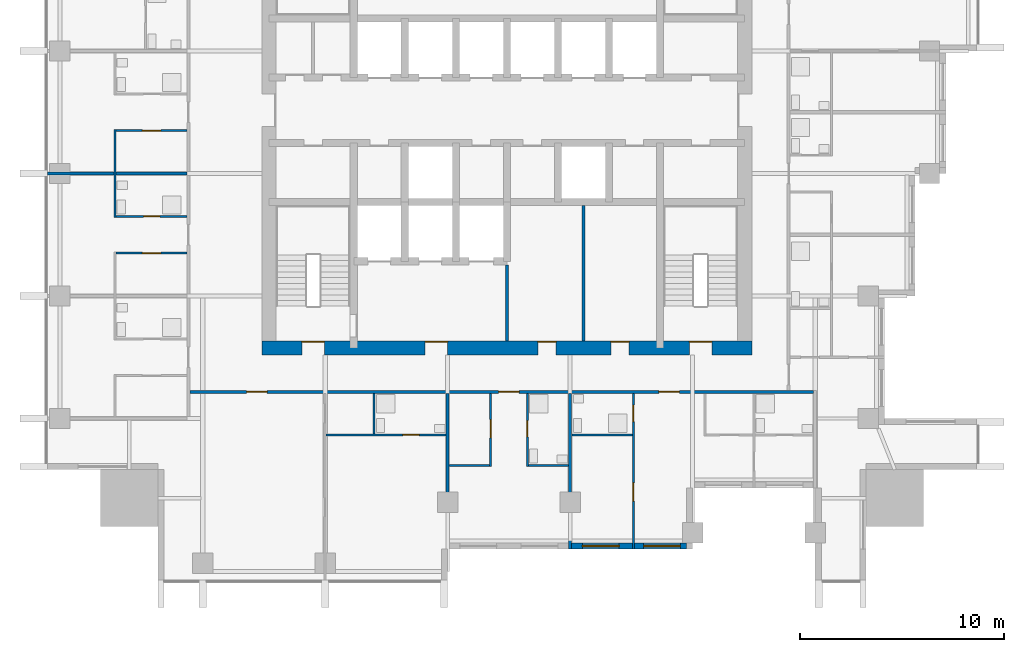
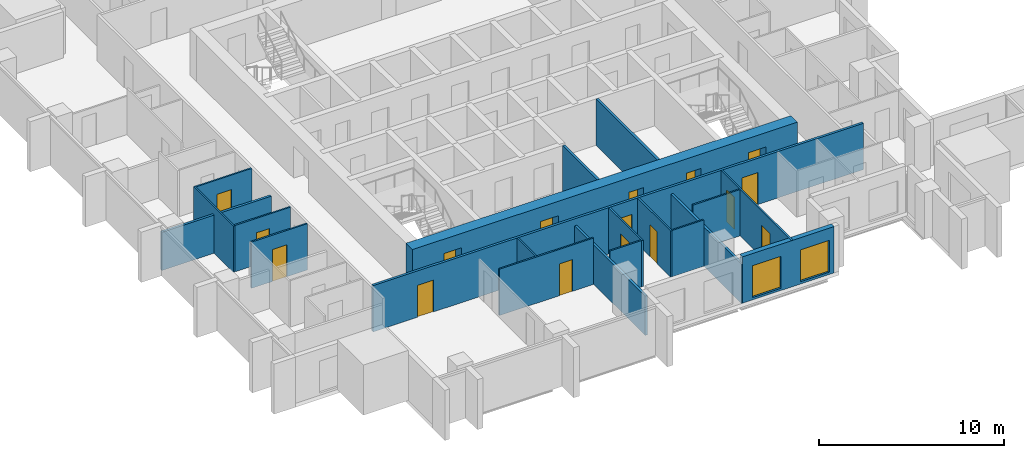
# One storey, part 4 of 11: 20 walls, 16 doors, 2 windows, 18 openings.
"""IFC4 building model written with IfcOpenShell, lengths in metres."""

import ifcopenshell
import ifcopenshell.guid

model = None  # the IFC model being written
_history = None  # IfcOwnerHistory: only IFC2X3 demands one
_inside = {}  # id of a spatial element -> (the spatial element, [elements in it])
_under = {}  # id of a project, library or spatial element -> (it, [spatial elements below it])
_declared = {}  # id of a project -> (the project, [libraries it declares])
_typed = {}  # id of a type object -> (the type object, [elements of that type])
_made_of = {}  # id of a material, layer set ... -> (it, [elements and type objects made of it])


def new_model(schema):
    """Start an empty IFC model of exactly this schema.

    Asked for "IFC4X3", IfcOpenShell would pick the latest addendum, in which some entities
    have other attributes; the version numbers below select the first issue.
    IFC2X3 requires an IfcOwnerHistory on every rooted entity: one is made here for all.
    """
    global model, _history
    if schema == "IFC4X3":
        model = ifcopenshell.file(schema_version=(4, 3, 0, 0))
    else:
        model = ifcopenshell.file(schema=schema)
    _inside.clear()
    _under.clear()
    _declared.clear()
    _typed.clear()
    _made_of.clear()
    _history = None
    if model.schema == "IFC2X3":
        org = make("IfcOrganization", Name="unknown")
        user = make(
            "IfcPersonAndOrganization",
            ThePerson=make("IfcPerson", FamilyName="unknown"),
            TheOrganization=org,
        )
        app = make(
            "IfcApplication",
            ApplicationDeveloper=org,
            Version="unknown",
            ApplicationFullName="unknown",
            ApplicationIdentifier="unknown",
        )
        _history = make(
            "IfcOwnerHistory",
            OwningUser=user,
            OwningApplication=app,
            ChangeAction="ADDED",
            CreationDate=0,
        )
    return model


def make(cls, **values):
    """One entity of the class cls with the attributes given. An attribute that is None is left unset."""
    return model.create_entity(
        cls, **{name: value for name, value in values.items() if value is not None}
    )


def rooted(cls, **values):
    """An entity with a GlobalId (a new one), such as an element, a storey or a relation."""
    return make(cls, GlobalId=ifcopenshell.guid.new(), OwnerHistory=_history, **values)


def si_unit(unit_type, name, prefix=None):
    """IfcSIUnit, for example si_unit("LENGTHUNIT", "METRE", prefix="MILLI")."""
    return make("IfcSIUnit", UnitType=unit_type, Prefix=prefix, Name=name)


def assignment(units):
    """IfcUnitAssignment: the units of a project."""
    return None if units is None else make("IfcUnitAssignment", Units=units)


def point(xyz):
    """IfcCartesianPoint."""
    return None if xyz is None else make("IfcCartesianPoint", Coordinates=xyz)


def direction(xyz):
    """IfcDirection."""
    return None if xyz is None else make("IfcDirection", DirectionRatios=xyz)


def frame(location, z_axis=None, x_axis=None):
    """IfcAxis2Placement3D, a coordinate frame: its origin and axes. An axis left out is left unset."""
    return make(
        "IfcAxis2Placement3D",
        Location=point(location),
        Axis=direction(z_axis),
        RefDirection=direction(x_axis),
    )


def frame_2d(location, x_axis=None):
    """IfcAxis2Placement2D, a coordinate frame in the plane: its origin and x axis."""
    return make(
        "IfcAxis2Placement2D", Location=point(location), RefDirection=direction(x_axis)
    )


def origin():
    """The frame at (0, 0, 0) with its axes left unset."""
    return frame((0.0, 0.0, 0.0))


def place(relative_to, where):
    """IfcLocalPlacement: puts the frame where relative to a parent placement (None: the world)."""
    return make(
        "IfcLocalPlacement", PlacementRelTo=relative_to, RelativePlacement=where
    )


def context(
    kind, dimensions, precision=None, world=None, true_north=None, identifier=None
):
    """IfcGeometricRepresentationContext, for example the 3D "Model" context."""
    return make(
        "IfcGeometricRepresentationContext",
        ContextIdentifier=identifier,
        ContextType=kind,
        CoordinateSpaceDimension=dimensions,
        Precision=precision,
        WorldCoordinateSystem=world,
        TrueNorth=true_north,
    )


def subcontext(parent, identifier, kind, view, scale=None):
    """IfcGeometricRepresentationSubContext, for example "Body" below "Model"."""
    return make(
        "IfcGeometricRepresentationSubContext",
        ContextIdentifier=identifier,
        ContextType=kind,
        ParentContext=parent,
        TargetScale=scale,
        TargetView=view,
    )


def project(units=None, contexts=None):
    """IfcProject with its units and contexts."""
    return rooted(
        "IfcProject",
        Name="project",
        RepresentationContexts=contexts,
        UnitsInContext=assignment(units),
    )


def spatial(cls, under=None, at=None, **own):
    """A site, building, storey or space (cls), placed at a placement, below another one or the project."""
    s = rooted(cls, ObjectPlacement=at, **own)
    if under is not None:
        _under.setdefault(under.id(), (under, []))[1].append(s)
    return s


def profile(cls, at=None, kind="AREA", **sizes):
    """A parametric profile (cls). Its sizes go by their IFC names, for example OverallWidth=200.0."""
    return make(cls, ProfileType=kind, Position=at, **sizes)


def rectangle(**sizes):
    """IfcRectangleProfileDef."""
    return profile("IfcRectangleProfileDef", **sizes)


def extrude(swept, where, along, depth):
    """IfcExtrudedAreaSolid: the profile swept, set in the frame where, extruded along a direction by depth."""
    return make(
        "IfcExtrudedAreaSolid",
        SweptArea=swept,
        Position=where,
        ExtrudedDirection=direction(along),
        Depth=depth,
    )


def shape(context_of_items, identifier, shape_type, items):
    """IfcShapeRepresentation: the items that make up one representation, for example the "Body"."""
    return make(
        "IfcShapeRepresentation",
        ContextOfItems=context_of_items,
        RepresentationIdentifier=identifier,
        RepresentationType=shape_type,
        Items=items,
    )


def material(Name=None, Category=None):
    """IfcMaterial."""
    return make("IfcMaterial", Name=Name, Category=Category)


def layer(
    of_material, thickness, ventilated=None, Name=None, Category=None, Priority=None
):
    """IfcMaterialLayer: one layer of a wall or slab, of a material (None: an air gap)."""
    return make(
        "IfcMaterialLayer",
        Material=of_material,
        LayerThickness=thickness,
        IsVentilated=ventilated,
        Name=Name,
        Category=Category,
        Priority=Priority,
    )


def layer_set(layers, Name=None):
    """IfcMaterialLayerSet."""
    return make("IfcMaterialLayerSet", MaterialLayers=layers, LayerSetName=Name)


def made_of(thing, what):
    """Note that an element or type object is made of a material, layer set ...; save() writes the relation."""
    if what is not None:
        _made_of.setdefault(what.id(), (what, []))[1].append(thing)
    return thing


def type_object(cls, material=None, **own):
    """A type object (cls), such as IfcWallType, which elements share."""
    return made_of(rooted(cls, **own), material)


def element(
    cls,
    number,
    at=None,
    inside=None,
    cuts=None,
    type_object=None,
    material=None,
    context=None,
    identifier="Body",
    shape_type=None,
    held_by="IfcProductDefinitionShape",
    body=None,
    shapes=None,
    **own,
):
    """One element of the class cls, such as IfcWall. Its Tag is "e" and its number.

    at: its placement. inside: the storey or other place that contains it. cuts: it is an
    opening in that element (IfcRelVoidsElement). A single representation is given by context,
    identifier, shape_type and body (its items); several are given by shapes. held_by: the class
    of the entity that holds the representations. save() writes the other relations.
    """
    e = rooted(cls, Tag="e%d" % number, ObjectPlacement=at, **own)
    if body is not None:
        shapes = [shape(context, identifier, shape_type, body)]
    if shapes is not None:
        e.Representation = make(held_by, Representations=shapes)
    if inside is not None:
        _inside.setdefault(inside.id(), (inside, []))[1].append(e)
    if cuts is not None:
        rooted(
            "IfcRelVoidsElement", RelatingBuildingElement=cuts, RelatedOpeningElement=e
        )
    if type_object is not None:
        _typed.setdefault(type_object.id(), (type_object, []))[1].append(e)
    return made_of(e, material)


def fill(opening, filler):
    """IfcRelFillsElement: the door or window that sits in an opening."""
    return rooted(
        "IfcRelFillsElement",
        RelatingOpeningElement=opening,
        RelatedBuildingElement=filler,
    )


def aggregate(whole, parts):
    """IfcRelAggregates: a whole, such as a stair, and the parts it consists of."""
    return rooted("IfcRelAggregates", RelatingObject=whole, RelatedObjects=parts)


def save(model, path):
    """Write the relations noted so far, then the file.

    IfcRelAggregates (storeys below a building ...), IfcRelContainedInSpatialStructure (elements
    in a storey), IfcRelDefinesByType, IfcRelAssociatesMaterial and IfcRelDeclares: one each for
    every whole, place, type object, material and project.
    """
    for whole, parts in _under.values():
        aggregate(whole, parts)
    for where, things in _inside.values():
        rooted(
            "IfcRelContainedInSpatialStructure",
            RelatedElements=things,
            RelatingStructure=where,
        )
    for kind, things in _typed.values():
        rooted("IfcRelDefinesByType", RelatedObjects=things, RelatingType=kind)
    for what, things in _made_of.values():
        rooted("IfcRelAssociatesMaterial", RelatedObjects=things, RelatingMaterial=what)
    for by, libraries in _declared.values():
        rooted("IfcRelDeclares", RelatingContext=by, RelatedDefinitions=libraries)
    model.write(path)


model = new_model("IFC4")

# Units and contexts
model_context = context("Model", 3, precision=1e-05, world=origin(), true_north=direction((0.0, 1.0)))
body_context = subcontext(model_context, "Body", "Model", "MODEL_VIEW")
ifc_project = project(units=[si_unit("LENGTHUNIT", "METRE"), si_unit("AREAUNIT", "SQUARE_METRE"), si_unit("VOLUMEUNIT", "CUBIC_METRE"), si_unit("PLANEANGLEUNIT", "RADIAN"), si_unit("MASSUNIT", "GRAM", prefix="KILO")], contexts=[model_context])

# Site, building, storey
site_placement = place(None, origin())
site = spatial("IfcSite", under=ifc_project, at=site_placement, CompositionType="ELEMENT")
building_placement = place(site_placement, origin())
building = spatial("IfcBuilding", under=site, at=building_placement, Name="Amberfall Residences", CompositionType="ELEMENT")
storey_placement = place(building_placement, frame((0.0, 0.0, 161.5)))
storey = spatial("IfcBuildingStorey", under=building, at=storey_placement, Name="L43", CompositionType="ELEMENT", Elevation=161.5)

# Wall, openings, windows
ifc_material_1 = material(Name="Pale stone cladding on insulated backing", Category="masonry")
ifc_layer_1 = layer(ifc_material_1, 0.300048828125)
ifc_layer_set_1 = layer_set([ifc_layer_1], Name="Bronze clad wall 300")
wall_type_1 = type_object("IfcWallType", Name="Bronze clad wall 300", PredefinedType="SOLIDWALL", material=ifc_layer_set_1)
wall_1_placement = place(storey_placement, frame((77.60009765625, 24.14990234375, 0.0), z_axis=(0.0, 0.0, 1.0), x_axis=(1.0, 0.0, 0.0)))
wall_1 = element("IfcWall", 1, at=wall_1_placement, inside=storey, type_object=wall_type_1, Name="Stone wall L43 S", PredefinedType="SOLIDWALL", context=body_context, shape_type="SweptSolid", body=[
    extrude(rectangle(XDim=5.699951171875, YDim=0.300048828125, at=frame_2d((2.85009765625, 0.0))), origin(), (0.0, 0.0, 1.0), 3.050048828125),
])
opening_1_placement = place(wall_1_placement, frame((0.60009765625, 0.0, 0.14990234375)))
opening_1 = element("IfcOpeningElement", 2, at=opening_1_placement, cuts=wall_1, Name="Opening WN6", PredefinedType="OPENING", context=body_context, shape_type="SweptSolid", body=[
    extrude(rectangle(XDim=1.800048828125, YDim=2.10009765625, at=frame_2d((0.89990234375, 1.050048828125))), frame((0.0, 0.159912109375, 0.0), z_axis=(0.0, -1.0, 0.0), x_axis=(1.0, 0.0, 0.0)), (0.0, 0.0, 1.0), 0.320068359375),
])
opening_2_placement = place(wall_1_placement, frame((3.60009765625, 0.0, 0.14990234375)))
opening_2 = element("IfcOpeningElement", 3, at=opening_2_placement, cuts=wall_1, Name="Opening WN6", PredefinedType="OPENING", context=body_context, shape_type="SweptSolid", body=[
    extrude(rectangle(XDim=1.800048828125, YDim=2.10009765625, at=frame_2d((0.89990234375, 1.050048828125))), frame((0.0, 0.159912109375, 0.0), z_axis=(0.0, -1.0, 0.0), x_axis=(1.0, 0.0, 0.0)), (0.0, 0.0, 1.0), 0.320068359375),
])
ifc_material_2 = material(Name="Bronze aluminium framed glazing", Category="aluminium")
window_type = type_object("IfcWindowType", Name="Glazed opening 1800 x 2100 bronze", PartitioningType="DOUBLE_PANEL_VERTICAL", PredefinedType="WINDOW", material=ifc_material_2)
window_1_placement = place(opening_1_placement, origin())
window_1 = element("IfcWindow", 4, at=window_1_placement, inside=storey, type_object=window_type, Name="Window L43 S", OverallHeight=2.10009765625, OverallWidth=1.800048828125, PartitioningType="DOUBLE_PANEL_VERTICAL", PredefinedType="WINDOW", context=body_context, shape_type="SweptSolid", body=[
    extrude(rectangle(XDim=1.800048828125, YDim=2.10009765625, at=frame_2d((0.89990234375, 1.050048828125))), frame((0.0, 0.030029296875, 0.0), z_axis=(0.0, -1.0, 0.0), x_axis=(1.0, 0.0, 0.0)), (0.0, 0.0, 1.0), 0.06005859375),
])
fill(opening_1, window_1)
window_2_placement = place(opening_2_placement, origin())
window_2 = element("IfcWindow", 5, at=window_2_placement, inside=storey, type_object=window_type, Name="Window L43 S", OverallHeight=2.10009765625, OverallWidth=1.800048828125, PartitioningType="DOUBLE_PANEL_VERTICAL", PredefinedType="WINDOW", context=body_context, shape_type="SweptSolid", body=[
    extrude(rectangle(XDim=1.800048828125, YDim=2.10009765625, at=frame_2d((0.89990234375, 1.050048828125))), frame((0.0, 0.030029296875, 0.0), z_axis=(0.0, -1.0, 0.0), x_axis=(1.0, 0.0, 0.0)), (0.0, 0.0, 1.0), 0.06005859375),
])
fill(opening_2, window_2)

# Wall, openings, doors
ifc_material_3 = material(Name="Concrete C60", Category="concrete")
ifc_layer_2 = layer(ifc_material_3, 0.699951171875)
ifc_layer_set_2 = layer_set([ifc_layer_2], Name="Core wall 700 C60")
wall_type_2 = type_object("IfcWallType", Name="Core wall 700 C60", PredefinedType="SHEAR", material=ifc_layer_set_2)
wall_2_placement = place(storey_placement, frame((62.5, 33.85009765625, 0.0), z_axis=(0.0, 0.0, 1.0), x_axis=(1.0, 0.0, 0.0)))
wall_2 = element("IfcWall", 6, at=wall_2_placement, inside=storey, type_object=wall_type_2, Name="Core wall RW5 L43 OS", PredefinedType="SHEAR", context=body_context, shape_type="SweptSolid", body=[
    extrude(rectangle(XDim=24.0, YDim=0.699951171875, at=frame_2d((12.0, 0.0))), origin(), (0.0, 0.0, 1.0), 3.050048828125),
])
opening_3_placement = place(wall_2_placement, frame((1.96240234375, 0.0, 0.0)))
opening_3 = element("IfcOpeningElement", 7, at=opening_3_placement, cuts=wall_2, Name="Opening SD1", PredefinedType="OPENING", context=body_context, shape_type="SweptSolid", body=[
    extrude(rectangle(XDim=1.10009765625, YDim=2.10009765625, at=frame_2d((0.550048828125, 1.050048828125))), frame((0.0, 0.35986328125, 0.0), z_axis=(0.0, -1.0, 0.0), x_axis=(1.0, 0.0, 0.0)), (0.0, 0.0, 1.0), 0.719970703125),
])
opening_4_placement = place(wall_2_placement, frame((20.9375, 0.0, 0.0)))
opening_4 = element("IfcOpeningElement", 8, at=opening_4_placement, cuts=wall_2, Name="Opening SD1", PredefinedType="OPENING", context=body_context, shape_type="SweptSolid", body=[
    extrude(rectangle(XDim=1.10009765625, YDim=2.10009765625, at=frame_2d((0.550048828125, 1.050048828125))), frame((0.0, 0.35986328125, 0.0), z_axis=(0.0, -1.0, 0.0), x_axis=(1.0, 0.0, 0.0)), (0.0, 0.0, 1.0), 0.719970703125),
])
opening_5_placement = place(wall_2_placement, frame((8.0, 0.0, 0.0)))
opening_5 = element("IfcOpeningElement", 9, at=opening_5_placement, cuts=wall_2, Name="Opening FL1", PredefinedType="OPENING", context=body_context, shape_type="SweptSolid", body=[
    extrude(rectangle(XDim=1.10009765625, YDim=2.10009765625, at=frame_2d((0.550048828125, 1.050048828125))), frame((0.0, 0.35986328125, 0.0), z_axis=(0.0, -1.0, 0.0), x_axis=(1.0, 0.0, 0.0)), (0.0, 0.0, 1.0), 0.719970703125),
])
opening_6_placement = place(wall_2_placement, frame((13.512451171875, 0.0, 0.0)))
opening_6 = element("IfcOpeningElement", 10, at=opening_6_placement, cuts=wall_2, Name="Opening RD1", PredefinedType="OPENING", context=body_context, shape_type="SweptSolid", body=[
    extrude(rectangle(XDim=0.89990234375, YDim=2.10009765625, at=frame_2d((0.449951171875, 1.050048828125))), frame((0.0, 0.35986328125, 0.0), z_axis=(0.0, -1.0, 0.0), x_axis=(1.0, 0.0, 0.0)), (0.0, 0.0, 1.0), 0.719970703125),
])
opening_7_placement = place(wall_2_placement, frame((17.08740234375, 0.0, 0.0)))
opening_7 = element("IfcOpeningElement", 11, at=opening_7_placement, cuts=wall_2, Name="Opening RD1", PredefinedType="OPENING", context=body_context, shape_type="SweptSolid", body=[
    extrude(rectangle(XDim=0.89990234375, YDim=2.10009765625, at=frame_2d((0.449951171875, 1.050048828125))), frame((0.0, 0.35986328125, 0.0), z_axis=(0.0, -1.0, 0.0), x_axis=(1.0, 0.0, 0.0)), (0.0, 0.0, 1.0), 0.719970703125),
])
ifc_material_4 = material(Name="Steel fire door set", Category="steel")
door_type_1 = type_object("IfcDoorType", Name="Firefighting lobby door 1100 x 2100", OperationType="SINGLE_SWING_LEFT", PredefinedType="DOOR", material=ifc_material_4)
door_1_placement = place(opening_5_placement, origin())
door_1 = element("IfcDoor", 12, at=door_1_placement, inside=storey, type_object=door_type_1, Name="FL1 L43", OperationType="SINGLE_SWING_LEFT", OverallHeight=2.10009765625, OverallWidth=1.10009765625, PredefinedType="DOOR", context=body_context, shape_type="SweptSolid", body=[
    extrude(rectangle(XDim=1.10009765625, YDim=2.10009765625, at=frame_2d((0.550048828125, 1.050048828125))), frame((0.0, 0.33740234375, 0.0), z_axis=(0.0, -1.0, 0.0), x_axis=(1.0, 0.0, 0.0)), (0.0, 0.0, 1.0), 0.050048828125),
])
fill(opening_5, door_1)
door_type_2 = type_object("IfcDoorType", Name="Service room door 900 x 2100", OperationType="SINGLE_SWING_LEFT", PredefinedType="DOOR", material=ifc_material_4)
door_2_placement = place(opening_6_placement, origin())
door_2 = element("IfcDoor", 13, at=door_2_placement, inside=storey, type_object=door_type_2, Name="RD1 L43", OperationType="SINGLE_SWING_LEFT", OverallHeight=2.10009765625, OverallWidth=0.89990234375, PredefinedType="DOOR", context=body_context, shape_type="SweptSolid", body=[
    extrude(rectangle(XDim=0.89990234375, YDim=2.10009765625, at=frame_2d((0.449951171875, 1.050048828125))), frame((0.0, 0.33740234375, 0.0), z_axis=(0.0, -1.0, 0.0), x_axis=(1.0, 0.0, 0.0)), (0.0, 0.0, 1.0), 0.050048828125),
])
fill(opening_6, door_2)
door_3_placement = place(opening_7_placement, origin())
door_3 = element("IfcDoor", 14, at=door_3_placement, inside=storey, type_object=door_type_2, Name="RD1 L43", OperationType="SINGLE_SWING_LEFT", OverallHeight=2.10009765625, OverallWidth=0.89990234375, PredefinedType="DOOR", context=body_context, shape_type="SweptSolid", body=[
    extrude(rectangle(XDim=0.89990234375, YDim=2.10009765625, at=frame_2d((0.449951171875, 1.050048828125))), frame((0.0, 0.33740234375, 0.0), z_axis=(0.0, -1.0, 0.0), x_axis=(1.0, 0.0, 0.0)), (0.0, 0.0, 1.0), 0.050048828125),
])
fill(opening_7, door_3)
door_type_3 = type_object("IfcDoorType", Name="Stair door 1100 x 2100", OperationType="SINGLE_SWING_LEFT", PredefinedType="DOOR", material=ifc_material_4)
door_4_placement = place(opening_3_placement, origin())
door_4 = element("IfcDoor", 15, at=door_4_placement, inside=storey, type_object=door_type_3, Name="SD1 L43", OperationType="SINGLE_SWING_LEFT", OverallHeight=2.10009765625, OverallWidth=1.10009765625, PredefinedType="DOOR", context=body_context, shape_type="SweptSolid", body=[
    extrude(rectangle(XDim=1.10009765625, YDim=2.10009765625, at=frame_2d((0.550048828125, 1.050048828125))), frame((0.0, 0.33740234375, 0.0), z_axis=(0.0, -1.0, 0.0), x_axis=(1.0, 0.0, 0.0)), (0.0, 0.0, 1.0), 0.050048828125),
])
fill(opening_3, door_4)
door_5_placement = place(opening_4_placement, origin())
door_5 = element("IfcDoor", 16, at=door_5_placement, inside=storey, type_object=door_type_3, Name="SD1 L43", OperationType="SINGLE_SWING_RIGHT", OverallHeight=2.10009765625, OverallWidth=1.10009765625, PredefinedType="DOOR", context=body_context, shape_type="SweptSolid", body=[
    extrude(rectangle(XDim=1.10009765625, YDim=2.10009765625, at=frame_2d((0.550048828125, 1.050048828125))), frame((0.0, 0.33740234375, 0.0), z_axis=(0.0, -1.0, 0.0), x_axis=(1.0, 0.0, 0.0)), (0.0, 0.0, 1.0), 0.050048828125),
])
fill(opening_4, door_5)

# Walls
ifc_material_5 = material(Name="Gypsum board on metal stud")
ifc_layer_3 = layer(ifc_material_5, 0.10009765625)
ifc_layer_set_3 = layer_set([ifc_layer_3], Name="Flat partition 100")
wall_type_3 = type_object("IfcWallType", Name="Flat partition 100", PredefinedType="PARTITIONING", material=ifc_layer_set_3)
wall_3_placement = place(storey_placement, frame((55.300048828125, 40.25, 0.0), z_axis=(0.0, 0.0, 1.0), x_axis=(0.0, 1.0, 0.0)))
element("IfcWall", 17, at=wall_3_placement, inside=storey, type_object=wall_type_3, Name="Partition 003", PredefinedType="PARTITIONING", context=body_context, shape_type="SweptSolid", body=[
    extrude(rectangle(XDim=4.300048828125, YDim=0.10009765625, at=frame_2d((2.14990234375, 0.0))), origin(), (0.0, 0.0, 1.0), 3.050048828125),
])
wall_4_placement = place(storey_placement, frame((68.0, 29.64990234375, 0.0), z_axis=(0.0, 0.0, 1.0), x_axis=(0.0, 1.0, 0.0)))
element("IfcWall", 18, at=wall_4_placement, inside=storey, type_object=wall_type_3, Name="Partition 010", PredefinedType="PARTITIONING", context=body_context, shape_type="SweptSolid", body=[
    extrude(rectangle(XDim=1.97509765625, YDim=0.10009765625, at=frame_2d((0.987548828125, 0.0))), origin(), (0.0, 0.0, 1.0), 3.050048828125),
])

# Wall, opening, door
wall_5_placement = place(storey_placement, frame((73.699951171875, 28.050048828125, 0.0), z_axis=(0.0, 0.0, 1.0), x_axis=(0.0, 1.0, 0.0)))
wall_5 = element("IfcWall", 19, at=wall_5_placement, inside=storey, type_object=wall_type_3, Name="Partition 012", PredefinedType="PARTITIONING", context=body_context, shape_type="SweptSolid", body=[
    extrude(rectangle(XDim=3.574951171875, YDim=0.10009765625, at=frame_2d((1.78759765625, 0.0))), origin(), (0.0, 0.0, 1.0), 3.050048828125),
])
opening_8_placement = place(wall_5_placement, frame((1.39990234375, 0.0, 0.0)))
opening_8 = element("IfcOpeningElement", 20, at=opening_8_placement, cuts=wall_5, Name="Opening D41", PredefinedType="OPENING", context=body_context, shape_type="SweptSolid", body=[
    extrude(rectangle(XDim=0.89990234375, YDim=2.10009765625, at=frame_2d((0.449951171875, 1.050048828125))), frame((0.0, 0.06005859375, 0.0), z_axis=(0.0, -1.0, 0.0), x_axis=(1.0, 0.0, 0.0)), (0.0, 0.0, 1.0), 0.1201171875),
])
ifc_material_6 = material(Name="Timber", Category="wood")
door_type_4 = type_object("IfcDoorType", Name="Internal door 900 x 2100", OperationType="SINGLE_SWING_LEFT", PredefinedType="DOOR", material=ifc_material_6)
door_6_placement = place(opening_8_placement, origin())
door_6 = element("IfcDoor", 21, at=door_6_placement, inside=storey, type_object=door_type_4, Name="Door 4302 kitchen", OperationType="SINGLE_SWING_LEFT", OverallHeight=2.10009765625, OverallWidth=0.89990234375, PredefinedType="DOOR", context=body_context, shape_type="SweptSolid", body=[
    extrude(rectangle(XDim=0.89990234375, YDim=2.10009765625, at=frame_2d((0.449951171875, 1.050048828125))), frame((0.0, 0.02490234375, 0.0), z_axis=(0.0, -1.0, 0.0), x_axis=(1.0, 0.0, 0.0)), (0.0, 0.0, 1.0), 0.050048828125),
])
fill(opening_8, door_6)

wall_6_placement = place(storey_placement, frame((75.5, 31.625, 0.0), z_axis=(0.0, 0.0, 1.0), x_axis=(0.0, -1.0, 0.0)))
wall_6 = element("IfcWall", 22, at=wall_6_placement, inside=storey, type_object=wall_type_3, Name="Partition 014", PredefinedType="PARTITIONING", context=body_context, shape_type="SweptSolid", body=[
    extrude(rectangle(XDim=3.574951171875, YDim=0.10009765625, at=frame_2d((1.78759765625, 0.0))), origin(), (0.0, 0.0, 1.0), 3.050048828125),
])
opening_9_placement = place(wall_6_placement, frame((1.324951171875, 0.0, 0.0)))
opening_9 = element("IfcOpeningElement", 23, at=opening_9_placement, cuts=wall_6, Name="Opening D42", PredefinedType="OPENING", context=body_context, shape_type="SweptSolid", body=[
    extrude(rectangle(XDim=0.800048828125, YDim=2.10009765625, at=frame_2d((0.39990234375, 1.050048828125))), frame((0.0, 0.06005859375, 0.0), z_axis=(0.0, -1.0, 0.0), x_axis=(1.0, 0.0, 0.0)), (0.0, 0.0, 1.0), 0.1201171875),
])
door_type_5 = type_object("IfcDoorType", Name="Bathroom door 800 x 2100", OperationType="SINGLE_SWING_LEFT", PredefinedType="DOOR", material=ifc_material_6)
door_7_placement = place(opening_9_placement, origin())
door_7 = element("IfcDoor", 24, at=door_7_placement, inside=storey, type_object=door_type_5, Name="Door 4302 bath1", OperationType="SINGLE_SWING_LEFT", OverallHeight=2.10009765625, OverallWidth=0.800048828125, PredefinedType="DOOR", context=body_context, shape_type="SweptSolid", body=[
    extrude(rectangle(XDim=0.800048828125, YDim=2.10009765625, at=frame_2d((0.39990234375, 1.050048828125))), frame((0.0, 0.02490234375, 0.0), z_axis=(0.0, -1.0, 0.0), x_axis=(1.0, 0.0, 0.0)), (0.0, 0.0, 1.0), 0.050048828125),
])
fill(opening_9, door_7)

# Wall, openings, doors
wall_7_placement = place(storey_placement, frame((80.699951171875, 24.0, 0.0), z_axis=(0.0, 0.0, 1.0), x_axis=(0.0, 1.0, 0.0)))
wall_7 = element("IfcWall", 25, at=wall_7_placement, inside=storey, type_object=wall_type_3, Name="Partition 016", PredefinedType="PARTITIONING", context=body_context, shape_type="SweptSolid", body=[
    extrude(rectangle(XDim=7.625, YDim=0.10009765625, at=frame_2d((3.8125, 0.0))), origin(), (0.0, 0.0, 1.0), 3.050048828125),
])
opening_10_placement = place(wall_7_placement, frame((2.35009765625, 0.0, 0.0)))
opening_10 = element("IfcOpeningElement", 26, at=opening_10_placement, cuts=wall_7, Name="Opening D41", PredefinedType="OPENING", context=body_context, shape_type="SweptSolid", body=[
    extrude(rectangle(XDim=0.89990234375, YDim=2.10009765625, at=frame_2d((0.449951171875, 1.050048828125))), frame((0.0, 0.06005859375, 0.0), z_axis=(0.0, -1.0, 0.0), x_axis=(1.0, 0.0, 0.0)), (0.0, 0.0, 1.0), 0.1201171875),
])
opening_11_placement = place(wall_7_placement, frame((6.25, 0.0, 0.0)))
opening_11 = element("IfcOpeningElement", 27, at=opening_11_placement, cuts=wall_7, Name="Opening D42", PredefinedType="OPENING", context=body_context, shape_type="SweptSolid", body=[
    extrude(rectangle(XDim=0.800048828125, YDim=2.10009765625, at=frame_2d((0.39990234375, 1.050048828125))), frame((0.0, 0.06005859375, 0.0), z_axis=(0.0, -1.0, 0.0), x_axis=(1.0, 0.0, 0.0)), (0.0, 0.0, 1.0), 0.1201171875),
])
door_8_placement = place(opening_11_placement, origin())
door_8 = element("IfcDoor", 28, at=door_8_placement, inside=storey, type_object=door_type_5, Name="Door 4303 bath1", OperationType="SINGLE_SWING_LEFT", OverallHeight=2.10009765625, OverallWidth=0.800048828125, PredefinedType="DOOR", context=body_context, shape_type="SweptSolid", body=[
    extrude(rectangle(XDim=0.800048828125, YDim=2.10009765625, at=frame_2d((0.39990234375, 1.050048828125))), frame((0.0, 0.02490234375, 0.0), z_axis=(0.0, -1.0, 0.0), x_axis=(1.0, 0.0, 0.0)), (0.0, 0.0, 1.0), 0.050048828125),
])
fill(opening_11, door_8)
door_9_placement = place(opening_10_placement, origin())
door_9 = element("IfcDoor", 29, at=door_9_placement, inside=storey, type_object=door_type_4, Name="Door 4303 bedroom1", OperationType="SINGLE_SWING_LEFT", OverallHeight=2.10009765625, OverallWidth=0.89990234375, PredefinedType="DOOR", context=body_context, shape_type="SweptSolid", body=[
    extrude(rectangle(XDim=0.89990234375, YDim=2.10009765625, at=frame_2d((0.449951171875, 1.050048828125))), frame((0.0, 0.02490234375, 0.0), z_axis=(0.0, -1.0, 0.0), x_axis=(1.0, 0.0, 0.0)), (0.0, 0.0, 1.0), 0.050048828125),
])
fill(opening_10, door_9)

# Wall, opening, door
wall_8_placement = place(storey_placement, frame((58.824951171875, 44.5, 0.0), z_axis=(0.0, 0.0, 1.0), x_axis=(-1.0, 0.0, 0.0)))
wall_8 = element("IfcWall", 30, at=wall_8_placement, inside=storey, type_object=wall_type_3, Name="Partition 037", PredefinedType="PARTITIONING", context=body_context, shape_type="SweptSolid", body=[
    extrude(rectangle(XDim=3.474853515625, YDim=0.10009765625, at=frame_2d((1.7373046875, 0.0))), origin(), (0.0, 0.0, 1.0), 3.050048828125),
])
opening_12_placement = place(wall_8_placement, frame((1.27490234375, 0.0, 0.0)))
opening_12 = element("IfcOpeningElement", 31, at=opening_12_placement, cuts=wall_8, Name="Opening D41", PredefinedType="OPENING", context=body_context, shape_type="SweptSolid", body=[
    extrude(rectangle(XDim=0.89990234375, YDim=2.10009765625, at=frame_2d((0.449951171875, 1.050048828125))), frame((0.0, 0.06005859375, 0.0), z_axis=(0.0, -1.0, 0.0), x_axis=(1.0, 0.0, 0.0)), (0.0, 0.0, 1.0), 0.1201171875),
])
door_10_placement = place(opening_12_placement, origin())
door_10 = element("IfcDoor", 32, at=door_10_placement, inside=storey, type_object=door_type_4, Name="Door 4314 kitchen", OperationType="SINGLE_SWING_LEFT", OverallHeight=2.10009765625, OverallWidth=0.89990234375, PredefinedType="DOOR", context=body_context, shape_type="SweptSolid", body=[
    extrude(rectangle(XDim=0.89990234375, YDim=2.10009765625, at=frame_2d((0.449951171875, 1.050048828125))), frame((0.0, 0.02490234375, 0.0), z_axis=(0.0, -1.0, 0.0), x_axis=(1.0, 0.0, 0.0)), (0.0, 0.0, 1.0), 0.050048828125),
])
fill(opening_12, door_10)

wall_9_placement = place(storey_placement, frame((55.35009765625, 40.300048828125, 0.0), z_axis=(0.0, 0.0, 1.0), x_axis=(1.0, 0.0, 0.0)))
wall_9 = element("IfcWall", 33, at=wall_9_placement, inside=storey, type_object=wall_type_3, Name="Partition 040", PredefinedType="PARTITIONING", context=body_context, shape_type="SweptSolid", body=[
    extrude(rectangle(XDim=3.474853515625, YDim=0.10009765625, at=frame_2d((1.7373046875, 0.0))), origin(), (0.0, 0.0, 1.0), 3.050048828125),
])
opening_13_placement = place(wall_9_placement, frame((1.35009765625, 0.0, 0.0)))
opening_13 = element("IfcOpeningElement", 34, at=opening_13_placement, cuts=wall_9, Name="Opening D42", PredefinedType="OPENING", context=body_context, shape_type="SweptSolid", body=[
    extrude(rectangle(XDim=0.800048828125, YDim=2.10009765625, at=frame_2d((0.39990234375, 1.050048828125))), frame((0.0, 0.06005859375, 0.0), z_axis=(0.0, -1.0, 0.0), x_axis=(1.0, 0.0, 0.0)), (0.0, 0.0, 1.0), 0.1201171875),
])
door_11_placement = place(opening_13_placement, origin())
door_11 = element("IfcDoor", 35, at=door_11_placement, inside=storey, type_object=door_type_5, Name="Door 4313 bath1", OperationType="SINGLE_SWING_LEFT", OverallHeight=2.10009765625, OverallWidth=0.800048828125, PredefinedType="DOOR", context=body_context, shape_type="SweptSolid", body=[
    extrude(rectangle(XDim=0.800048828125, YDim=2.10009765625, at=frame_2d((0.39990234375, 1.050048828125))), frame((0.0, 0.02490234375, 0.0), z_axis=(0.0, -1.0, 0.0), x_axis=(1.0, 0.0, 0.0)), (0.0, 0.0, 1.0), 0.050048828125),
])
fill(opening_13, door_11)

wall_10_placement = place(storey_placement, frame((58.824951171875, 38.5, 0.0), z_axis=(0.0, 0.0, 1.0), x_axis=(-1.0, 0.0, 0.0)))
wall_10 = element("IfcWall", 36, at=wall_10_placement, inside=storey, type_object=wall_type_3, Name="Partition 041", PredefinedType="PARTITIONING", context=body_context, shape_type="SweptSolid", body=[
    extrude(rectangle(XDim=3.474853515625, YDim=0.10009765625, at=frame_2d((1.7373046875, 0.0))), origin(), (0.0, 0.0, 1.0), 3.050048828125),
])
opening_14_placement = place(wall_10_placement, frame((1.27490234375, 0.0, 0.0)))
opening_14 = element("IfcOpeningElement", 37, at=opening_14_placement, cuts=wall_10, Name="Opening D41", PredefinedType="OPENING", context=body_context, shape_type="SweptSolid", body=[
    extrude(rectangle(XDim=0.89990234375, YDim=2.10009765625, at=frame_2d((0.449951171875, 1.050048828125))), frame((0.0, 0.06005859375, 0.0), z_axis=(0.0, -1.0, 0.0), x_axis=(1.0, 0.0, 0.0)), (0.0, 0.0, 1.0), 0.1201171875),
])
door_12_placement = place(opening_14_placement, origin())
door_12 = element("IfcDoor", 38, at=door_12_placement, inside=storey, type_object=door_type_4, Name="Door 4313 kitchen", OperationType="SINGLE_SWING_LEFT", OverallHeight=2.10009765625, OverallWidth=0.89990234375, PredefinedType="DOOR", context=body_context, shape_type="SweptSolid", body=[
    extrude(rectangle(XDim=0.89990234375, YDim=2.10009765625, at=frame_2d((0.449951171875, 1.050048828125))), frame((0.0, 0.02490234375, 0.0), z_axis=(0.0, -1.0, 0.0), x_axis=(1.0, 0.0, 0.0)), (0.0, 0.0, 1.0), 0.050048828125),
])
fill(opening_14, door_12)

wall_11_placement = place(storey_placement, frame((65.64990234375, 29.60009765625, 0.0), z_axis=(0.0, 0.0, 1.0), x_axis=(1.0, 0.0, 0.0)))
wall_11 = element("IfcWall", 39, at=wall_11_placement, inside=storey, type_object=wall_type_3, Name="Partition 046", PredefinedType="PARTITIONING", context=body_context, shape_type="SweptSolid", body=[
    extrude(rectangle(XDim=5.875, YDim=0.10009765625, at=frame_2d((2.9375, 0.0))), origin(), (0.0, 0.0, 1.0), 3.050048828125),
])
opening_15_placement = place(wall_11_placement, frame((3.75, 0.0, 0.0)))
opening_15 = element("IfcOpeningElement", 40, at=opening_15_placement, cuts=wall_11, Name="Opening D42", PredefinedType="OPENING", context=body_context, shape_type="SweptSolid", body=[
    extrude(rectangle(XDim=0.800048828125, YDim=2.10009765625, at=frame_2d((0.39990234375, 1.050048828125))), frame((0.0, 0.06005859375, 0.0), z_axis=(0.0, -1.0, 0.0), x_axis=(1.0, 0.0, 0.0)), (0.0, 0.0, 1.0), 0.1201171875),
])
door_13_placement = place(opening_15_placement, origin())
door_13 = element("IfcDoor", 41, at=door_13_placement, inside=storey, type_object=door_type_5, Name="Door 4301 bath1", OperationType="SINGLE_SWING_LEFT", OverallHeight=2.10009765625, OverallWidth=0.800048828125, PredefinedType="DOOR", context=body_context, shape_type="SweptSolid", body=[
    extrude(rectangle(XDim=0.800048828125, YDim=2.10009765625, at=frame_2d((0.39990234375, 1.050048828125))), frame((0.0, 0.02490234375, 0.0), z_axis=(0.0, -1.0, 0.0), x_axis=(1.0, 0.0, 0.0)), (0.0, 0.0, 1.0), 0.050048828125),
])
fill(opening_15, door_13)

# Walls
wall_12_placement = place(storey_placement, frame((77.699951171875, 29.60009765625, 0.0), z_axis=(0.0, 0.0, 1.0), x_axis=(1.0, 0.0, 0.0)))
element("IfcWall", 42, at=wall_12_placement, inside=storey, type_object=wall_type_3, Name="Partition 047", PredefinedType="PARTITIONING", context=body_context, shape_type="SweptSolid", body=[
    extrude(rectangle(XDim=2.949951171875, YDim=0.10009765625, at=frame_2d((1.47509765625, 0.0))), origin(), (0.0, 0.0, 1.0), 3.050048828125),
])
for number, where, z_axis, x_axis, name in (
    (43, (71.675048828125, 28.10009765625, 0.0), (0.0, 0.0, 1.0), (1.0, 0.0, 0.0), "Partition 049"),
    (44, (75.550048828125, 28.10009765625, 0.0), (0.0, 0.0, 1.0), (1.0, 0.0, 0.0), "Partition 050"),
):
    element("IfcWall", number, at=place(storey_placement, frame(where, z_axis=z_axis, x_axis=x_axis)), inside=storey, type_object=wall_type_3, Name=name, PredefinedType="PARTITIONING", context=body_context, shape_type="SweptSolid", body=[
        extrude(rectangle(XDim=1.974853515625, YDim=0.10009765625, at=frame_2d((0.9873046875, 0.0))), origin(), (0.0, 0.0, 1.0), 3.050048828125),
    ])
ifc_material_7 = material(Name="Blockwork, plastered", Category="masonry")
ifc_layer_4 = layer(ifc_material_7, 0.14990234375)
ifc_layer_set_4 = layer_set([ifc_layer_4], Name="Flat separating wall 150")
wall_type_4 = type_object("IfcWallType", Name="Flat separating wall 150", PredefinedType="PARTITIONING", material=ifc_layer_set_4)
for number, where, z_axis, x_axis, name in (
    (45, (71.60009765625, 24.0, 0.0), (0.0, 0.0, 1.0), (0.0, 1.0, 0.0), "Separating wall 054"),
    (46, (77.60009765625, 24.0, 0.0), (0.0, 0.0, 1.0), (0.0, 1.0, 0.0), "Separating wall 056"),
):
    element("IfcWall", number, at=place(storey_placement, frame(where, z_axis=z_axis, x_axis=x_axis)), inside=storey, type_object=wall_type_4, Name=name, PredefinedType="PARTITIONING", context=body_context, shape_type="SweptSolid", body=[
        extrude(rectangle(XDim=7.625, YDim=0.14990234375, at=frame_2d((3.8125, 0.0))), origin(), (0.0, 0.0, 1.0), 2.590087890625),
    ])
wall_13_placement = place(storey_placement, frame((52.0, 42.39990234375, 0.0), z_axis=(0.0, 0.0, 1.0), x_axis=(1.0, 0.0, 0.0)))
element("IfcWall", 47, at=wall_13_placement, inside=storey, type_object=wall_type_4, Name="Separating wall 065", PredefinedType="PARTITIONING", context=body_context, shape_type="SweptSolid", body=[
    extrude(rectangle(XDim=6.824951171875, YDim=0.14990234375, at=frame_2d((3.41259765625, 0.0))), origin(), (0.0, 0.0, 1.0), 2.51611328125),
])

# Wall, openings, doors
wall_14_placement = place(storey_placement, frame((89.52490234375, 31.699951171875, 0.0), z_axis=(0.0, 0.0, 1.0), x_axis=(-1.0, 0.0, 0.0)))
wall_14 = element("IfcWall", 48, at=wall_14_placement, inside=storey, type_object=wall_type_4, Name="Separating wall 068", PredefinedType="PARTITIONING", context=body_context, shape_type="SweptSolid", body=[
    extrude(rectangle(XDim=30.5498046875, YDim=0.14990234375, at=frame_2d((15.27490234375, 0.0))), origin(), (0.0, 0.0, 1.0), 3.050048828125),
])
opening_16_placement = place(wall_14_placement, frame((26.77490234375, 0.0, 0.0)))
opening_16 = element("IfcOpeningElement", 49, at=opening_16_placement, cuts=wall_14, Name="Opening D40", PredefinedType="OPENING", context=body_context, shape_type="SweptSolid", body=[
    extrude(rectangle(XDim=1.0, YDim=2.10009765625, at=frame_2d((0.5, 1.050048828125))), frame((0.0, 0.0849609375, 0.0), z_axis=(0.0, -1.0, 0.0), x_axis=(1.0, 0.0, 0.0)), (0.0, 0.0, 1.0), 0.169921875),
])
opening_17_placement = place(wall_14_placement, frame((14.425048828125, 0.0, 0.0)))
opening_17 = element("IfcOpeningElement", 50, at=opening_17_placement, cuts=wall_14, Name="Opening D40", PredefinedType="OPENING", context=body_context, shape_type="SweptSolid", body=[
    extrude(rectangle(XDim=1.0, YDim=2.10009765625, at=frame_2d((0.5, 1.050048828125))), frame((0.0, 0.0849609375, 0.0), z_axis=(0.0, -1.0, 0.0), x_axis=(1.0, 0.0, 0.0)), (0.0, 0.0, 1.0), 0.169921875),
])
opening_18_placement = place(wall_14_placement, frame((6.574951171875, 0.0, 0.0)))
opening_18 = element("IfcOpeningElement", 51, at=opening_18_placement, cuts=wall_14, Name="Opening D40", PredefinedType="OPENING", context=body_context, shape_type="SweptSolid", body=[
    extrude(rectangle(XDim=1.0, YDim=2.10009765625, at=frame_2d((0.5, 1.050048828125))), frame((0.0, 0.0849609375, 0.0), z_axis=(0.0, -1.0, 0.0), x_axis=(1.0, 0.0, 0.0)), (0.0, 0.0, 1.0), 0.169921875),
])
ifc_material_8 = material(Name="Timber, fire-rated", Category="wood")
door_type_6 = type_object("IfcDoorType", Name="Flat entrance door FD60 1000 x 2100", OperationType="SINGLE_SWING_LEFT", PredefinedType="DOOR", material=ifc_material_8)
door_14_placement = place(opening_16_placement, origin())
door_14 = element("IfcDoor", 52, at=door_14_placement, inside=storey, type_object=door_type_6, Name="Door 4301 entrance", OperationType="SINGLE_SWING_LEFT", OverallHeight=2.10009765625, OverallWidth=1.0, PredefinedType="DOOR", context=body_context, shape_type="SweptSolid", body=[
    extrude(rectangle(XDim=1.0, YDim=2.10009765625, at=frame_2d((0.5, 1.050048828125))), frame((0.0, 0.02490234375, 0.0), z_axis=(0.0, -1.0, 0.0), x_axis=(1.0, 0.0, 0.0)), (0.0, 0.0, 1.0), 0.050048828125),
])
fill(opening_16, door_14)
door_15_placement = place(opening_17_placement, origin())
door_15 = element("IfcDoor", 53, at=door_15_placement, inside=storey, type_object=door_type_6, Name="Door 4302 entrance", OperationType="SINGLE_SWING_LEFT", OverallHeight=2.10009765625, OverallWidth=1.0, PredefinedType="DOOR", context=body_context, shape_type="SweptSolid", body=[
    extrude(rectangle(XDim=1.0, YDim=2.10009765625, at=frame_2d((0.5, 1.050048828125))), frame((0.0, 0.02490234375, 0.0), z_axis=(0.0, -1.0, 0.0), x_axis=(1.0, 0.0, 0.0)), (0.0, 0.0, 1.0), 0.050048828125),
])
fill(opening_17, door_15)
door_16_placement = place(opening_18_placement, origin())
door_16 = element("IfcDoor", 54, at=door_16_placement, inside=storey, type_object=door_type_6, Name="Door 4303 entrance", OperationType="SINGLE_SWING_LEFT", OverallHeight=2.10009765625, OverallWidth=1.0, PredefinedType="DOOR", context=body_context, shape_type="SweptSolid", body=[
    extrude(rectangle(XDim=1.0, YDim=2.10009765625, at=frame_2d((0.5, 1.050048828125))), frame((0.0, 0.02490234375, 0.0), z_axis=(0.0, -1.0, 0.0), x_axis=(1.0, 0.0, 0.0)), (0.0, 0.0, 1.0), 0.050048828125),
])
fill(opening_18, door_16)

# Walls
ifc_material_9 = material(Name="Concrete blockwork", Category="masonry")
ifc_layer_5 = layer(ifc_material_9, 0.14990234375)
ifc_layer_set_5 = layer_set([ifc_layer_5], Name="Riser wall 150")
wall_type_5 = type_object("IfcWallType", Name="Riser wall 150", PredefinedType="PLUMBINGWALL", material=ifc_layer_set_5)
wall_15_placement = place(storey_placement, frame((74.5, 34.199951171875, 0.0), z_axis=(0.0, 0.0, 1.0), x_axis=(0.0, 1.0, 0.0)))
element("IfcWall", 55, at=wall_15_placement, inside=storey, type_object=wall_type_5, Name="L43 core wall PX", PredefinedType="PLUMBINGWALL", context=body_context, shape_type="SweptSolid", body=[
    extrude(rectangle(XDim=3.72509765625, YDim=0.14990234375, at=frame_2d((1.862548828125, 0.0))), origin(), (0.0, 0.0, 1.0), 3.050048828125),
])
wall_16_placement = place(storey_placement, frame((78.25, 34.199951171875, 0.0), z_axis=(0.0, 0.0, 1.0), x_axis=(0.0, 1.0, 0.0)))
element("IfcWall", 56, at=wall_16_placement, inside=storey, type_object=wall_type_5, Name="L43 core wall E0", PredefinedType="PLUMBINGWALL", context=body_context, shape_type="SweptSolid", body=[
    extrude(rectangle(XDim=6.625, YDim=0.14990234375, at=frame_2d((3.3125, 0.0))), origin(), (0.0, 0.0, 1.0), 3.050048828125),
])

save(model, "model.ifc")
